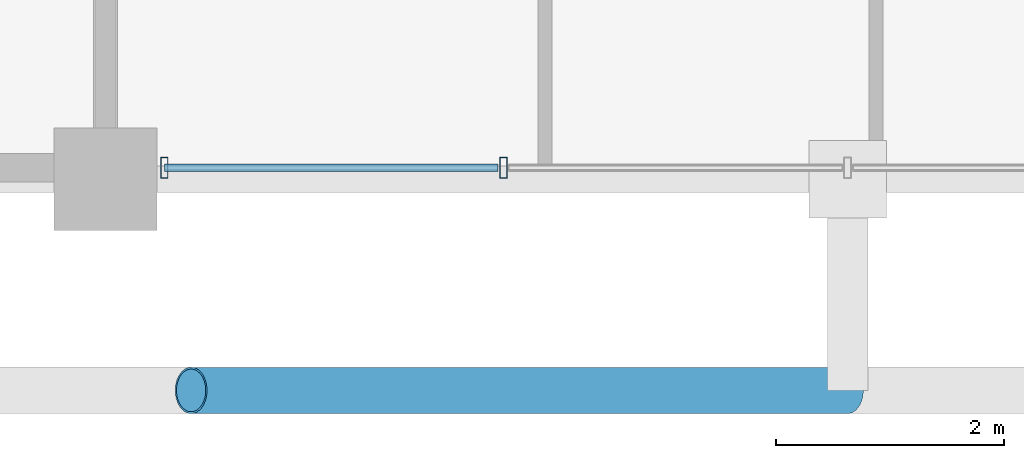
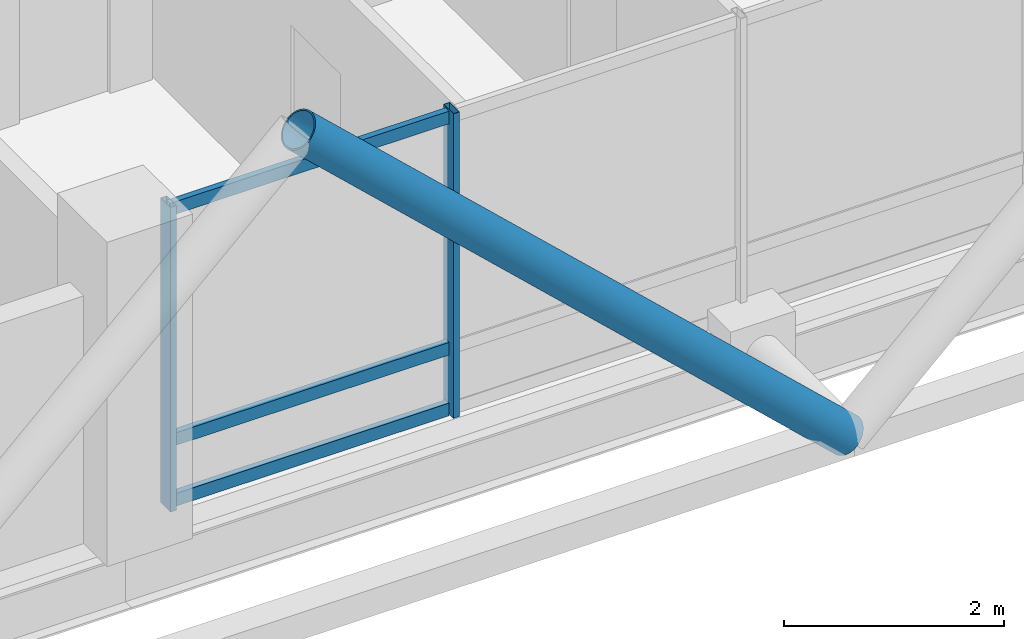
# One storey, part 2 of 24: 6 members, 1 element without a shape of its own.
"""IFC4 building model written with IfcOpenShell, lengths in metres."""

from ifc_helpers import new_model, si_unit, direction, frame, origin, origin_2d, place, context, subcontext, project, spatial, hollow_rectangle, hollow_circle, extrude, material, layer, layer_set, material_profile, profile_set, type_object, element, aggregate, save


model = new_model("IFC4")

# Units and contexts
model_context = context("Model", 3, precision=1e-05, world=origin(), true_north=direction((0.0, 1.0)))
body_context = subcontext(model_context, "Body", "Model", "MODEL_VIEW")
ifc_project = project(units=[si_unit("LENGTHUNIT", "METRE"), si_unit("AREAUNIT", "SQUARE_METRE"), si_unit("VOLUMEUNIT", "CUBIC_METRE"), si_unit("PLANEANGLEUNIT", "RADIAN"), si_unit("MASSUNIT", "GRAM", prefix="KILO")], contexts=[model_context])

# Site, building, storey
site_placement = place(None, origin())
site = spatial("IfcSite", under=ifc_project, at=site_placement, CompositionType="ELEMENT")
building_placement = place(site_placement, origin())
building = spatial("IfcBuilding", under=site, at=building_placement, Name="Barlavira Tower and Art Museum", CompositionType="ELEMENT")
storey_placement = place(building_placement, frame((0.0, 0.0, 240.300048828125)))
storey = spatial("IfcBuildingStorey", under=building, at=storey_placement, Name="L62", CompositionType="ELEMENT", Elevation=240.300048828125)

# Curtain wall, members
ifc_material_1 = material(Name="Low-iron coastal laminated glass", Category="glass")
ifc_layer = layer(ifc_material_1, 0.2099609375, Name="Low-iron coastal laminated glass")
ifc_layer_set = layer_set([ifc_layer], Name="Low-iron coastal laminated glass")
curtain_wall_type = type_object("IfcCurtainWallType", Name="Pale-Metal Unitised Curtain Wall Zone 4", PredefinedType="NOTDEFINED", material=ifc_layer_set)
curtain_wall_placement = place(storey_placement, origin())
curtain_wall = element("IfcCurtainWall", 1, at=curtain_wall_placement, inside=storey, type_object=curtain_wall_type, Name="L62 Curtain Wall CW4-L62-S-B2", PredefinedType="NOTDEFINED")
ifc_material_2 = material(Name="Pale anodised aluminium", Category="aluminium")
ifc_material_profile_1 = material_profile(ifc_material_2, hollow_rectangle(XDim=0.06494140625, YDim=0.179931640625, WallThickness=0.00390625, at=origin_2d()), Name="ALU-MULL 65x180x4")
ifc_profile_set_1 = profile_set([ifc_material_profile_1], Name="Pale anodised aluminium")
member_type_1 = type_object("IfcMemberType", Name="Curtain Wall Pale-Metal Mullion 65x180", PredefinedType="MULLION", material=ifc_profile_set_1)
member_1_placement = place(storey_placement, frame((-5.985107421875, -19.89990234375, 0.0), z_axis=(0.0, 0.0, 1.0), x_axis=(1.0, 0.0, 0.0)))
member_1 = element("IfcMember", 2, at=member_1_placement, type_object=member_type_1, Name="CW4-L62-S-B2 Mullion 0", PredefinedType="MULLION", context=body_context, shape_type="SweptSolid", body=[
    extrude(hollow_rectangle(XDim=0.06494140625, YDim=0.179931640625, WallThickness=0.00390625, at=origin_2d()), origin(), (0.0, 0.0, 1.0), 3.3798828125),
])
member_2_placement = place(storey_placement, frame((-3.014892578125, -19.89990234375, 0.0), z_axis=(0.0, 0.0, 1.0), x_axis=(1.0, 0.0, 0.0)))
member_2 = element("IfcMember", 3, at=member_2_placement, type_object=member_type_1, Name="CW4-L62-S-B2 Mullion 1", PredefinedType="MULLION", context=body_context, shape_type="SweptSolid", body=[
    extrude(hollow_rectangle(XDim=0.06494140625, YDim=0.179931640625, WallThickness=0.00390625, at=origin_2d()), origin(), (0.0, 0.0, 1.0), 3.3798828125),
])
ifc_material_profile_2 = material_profile(ifc_material_2, hollow_rectangle(XDim=0.06494140625, YDim=0.139892578125, WallThickness=0.00390625, at=origin_2d()), Name="ALU-TRAN 65x140x4")
ifc_profile_set_2 = profile_set([ifc_material_profile_2], Name="Pale anodised aluminium")
member_type_2 = type_object("IfcMemberType", Name="Curtain Wall Pale-Metal Transom 65x140", PredefinedType="USERDEFINED", material=ifc_profile_set_2)
member_3_placement = place(storey_placement, frame((-5.985107421875, -19.89990234375, 0.070068359375), z_axis=(1.0, 0.0, 0.0), x_axis=(0.0, 1.0, 0.0)))
member_3 = element("IfcMember", 4, at=member_3_placement, type_object=member_type_2, Name="CW4-L62-S-B2 Transom 0.1", ObjectType="TRANSOM", PredefinedType="USERDEFINED", context=body_context, shape_type="SweptSolid", body=[
    extrude(hollow_rectangle(XDim=0.06494140625, YDim=0.139892578125, WallThickness=0.00390625, at=origin_2d()), origin(), (0.0, 0.0, 1.0), 2.925048828125),
])
member_4_placement = place(storey_placement, frame((-5.985107421875, -19.89990234375, 0.743896484375), z_axis=(1.0, 0.0, 0.0), x_axis=(0.0, 1.0, 0.0)))
member_4 = element("IfcMember", 5, at=member_4_placement, type_object=member_type_2, Name="CW4-L62-S-B2 Transom 0.2", ObjectType="TRANSOM", PredefinedType="USERDEFINED", context=body_context, shape_type="SweptSolid", body=[
    extrude(hollow_rectangle(XDim=0.06494140625, YDim=0.139892578125, WallThickness=0.00390625, at=origin_2d()), origin(), (0.0, 0.0, 1.0), 2.925048828125),
])
member_5_placement = place(storey_placement, frame((-5.985107421875, -19.89990234375, 3.31005859375), z_axis=(1.0, 0.0, 0.0), x_axis=(0.0, 1.0, 0.0)))
member_5 = element("IfcMember", 6, at=member_5_placement, type_object=member_type_2, Name="CW4-L62-S-B2 Transom 0.3", ObjectType="TRANSOM", PredefinedType="USERDEFINED", context=body_context, shape_type="SweptSolid", body=[
    extrude(hollow_rectangle(XDim=0.06494140625, YDim=0.139892578125, WallThickness=0.00390625, at=origin_2d()), origin(), (0.0, 0.0, 1.0), 2.925048828125),
])
aggregate(curtain_wall, [member_1, member_2, member_3, member_4, member_5])

# Member
ifc_material_3 = material(Name="Steel S355", Category="steel")
ifc_material_profile_3 = material_profile(ifc_material_3, hollow_circle(Radius=0.203125, WallThickness=0.01611328125, at=origin_2d()), Name="CHS 406.4x16.0")
ifc_profile_set_3 = profile_set([ifc_material_profile_3], Name="Steel S355")
member_type_3 = type_object("IfcMemberType", Name="Pale-Metal Exoskeleton Diagrid Tube CHS 406x16 Steel S355", PredefinedType="BRACE", material=ifc_profile_set_3)
member_6_placement = place(storey_placement, frame((0.0, -21.85009765625, -0.1201171875), z_axis=(-0.728934650808, 0.0, 0.684583285548), x_axis=(0.0, -1.0, 0.0)))
element("IfcMember", 7, at=member_6_placement, inside=storey, type_object=member_type_3, Name="L62 Exoskeleton Diagrid Tube S", PredefinedType="BRACE", context=body_context, shape_type="SweptSolid", body=[
    extrude(hollow_circle(Radius=0.203125, WallThickness=0.01611328125, at=origin_2d()), origin(), (0.0, 0.0, 1.0), 7.88818359375),
])

save(model, "model.ifc")
